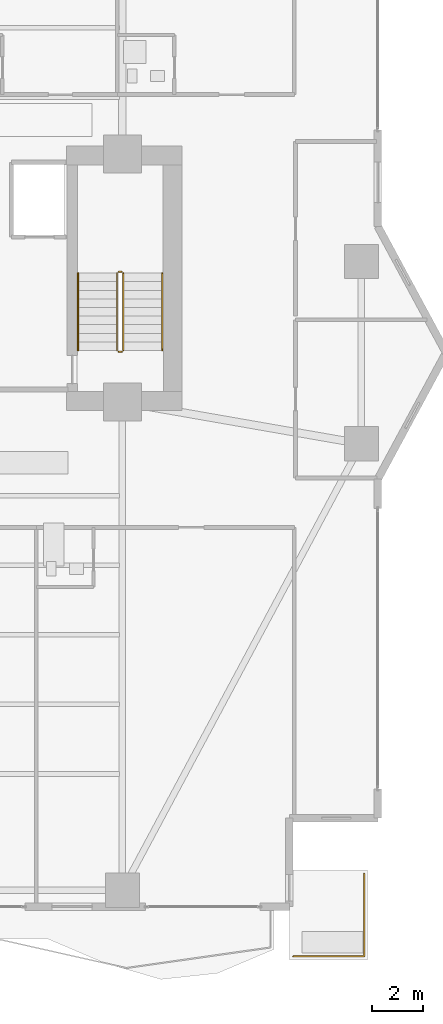
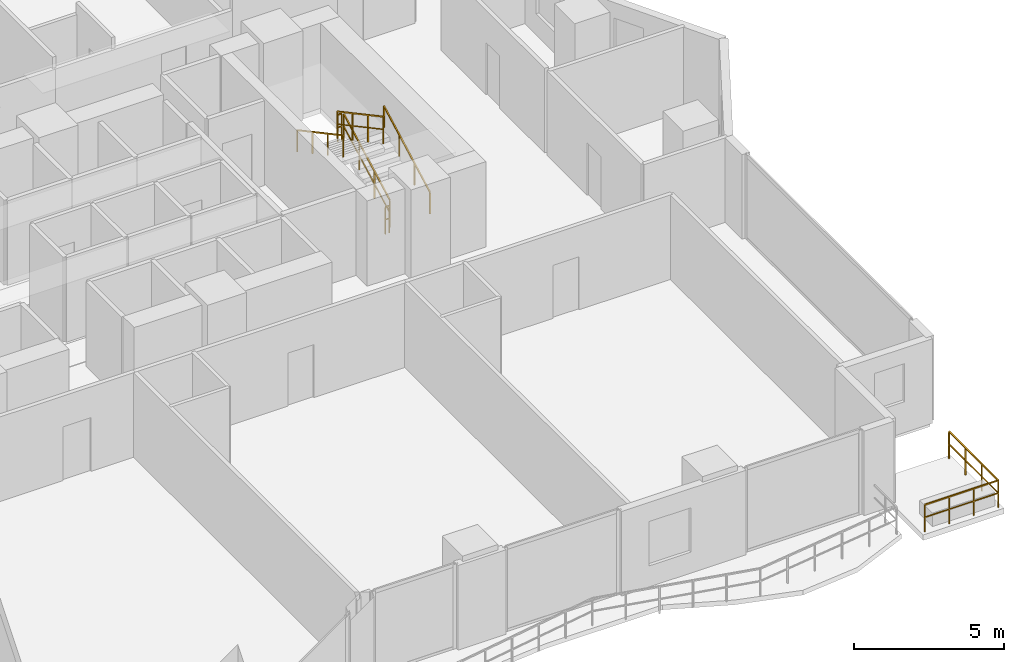
# One storey, part 28 of 30: 7 railings.
"""IFC4 building model written with IfcOpenShell, lengths in metres."""

from ifc_helpers import new_model, si_unit, direction, frame, origin, origin_2d, place, context, subcontext, project, spatial, rectangle, extrude, material, type_object, element, save


model = new_model("IFC4")

# Units and contexts
model_context = context("Model", 3, precision=1e-05, world=origin(), true_north=direction((0.0, 1.0)))
body_context = subcontext(model_context, "Body", "Model", "MODEL_VIEW")
ifc_project = project(units=[si_unit("LENGTHUNIT", "METRE"), si_unit("AREAUNIT", "SQUARE_METRE"), si_unit("VOLUMEUNIT", "CUBIC_METRE"), si_unit("PLANEANGLEUNIT", "RADIAN"), si_unit("MASSUNIT", "GRAM", prefix="KILO")], contexts=[model_context])

# Site, building, storey
site_placement = place(None, origin())
site = spatial("IfcSite", under=ifc_project, at=site_placement, CompositionType="ELEMENT")
building_placement = place(site_placement, origin())
building = spatial("IfcBuilding", under=site, at=building_placement, Name="Zuhayl Quay Hotel", CompositionType="ELEMENT")
storey_placement = place(building_placement, frame((0.0, 0.0, 128.5)))
storey = spatial("IfcBuildingStorey", under=building, at=storey_placement, Name="L32", CompositionType="ELEMENT", Elevation=128.5)

# Railings
ifc_material_1 = material(Name="Anodised Aluminium and Laminated Glass", Category="aluminium")
railing_type_1 = type_object("IfcRailingType", Name="RL_EXT_BAL_1100", PredefinedType="BALUSTRADE", material=ifc_material_1)
railing_1_placement = place(storey_placement, frame((20.5400390625, -17.360107421875, 0.0)))
element("IfcRailing", 1, at=railing_1_placement, inside=storey, type_object=railing_type_1, Name="L32 Balcony and Terrace Guard GR_L32_SPIRAL_SE", PredefinedType="BALUSTRADE", context=body_context, shape_type="SweptSolid", body=[
    extrude(rectangle(XDim=0.048095703125, YDim=0.048095703125, at=origin_2d()), frame((0.0, 0.0, 1.09619140625), z_axis=(1.0, 0.0, 0.0), x_axis=(0.0, 1.0, 0.0)), (0.0, 0.0, 1.0), 2.820068359375),
    extrude(rectangle(XDim=0.0361328125, YDim=0.0361328125, at=origin_2d()), frame((0.0, 0.0, 0.58251953125), z_axis=(1.0, 0.0, 0.0), x_axis=(0.0, 1.0, 0.0)), (0.0, 0.0, 1.0), 2.820068359375),
    extrude(rectangle(XDim=0.048095703125, YDim=0.048095703125, at=origin_2d()), frame((2.820068359375, 0.0, 1.09619140625), z_axis=(0.0, 1.0, 0.0), x_axis=(-1.0, 0.0, 0.0)), (0.0, 0.0, 1.0), 3.27001953125),
    extrude(rectangle(XDim=0.0361328125, YDim=0.0361328125, at=origin_2d()), frame((2.820068359375, 0.0, 0.58251953125), z_axis=(0.0, 1.0, 0.0), x_axis=(-1.0, 0.0, 0.0)), (0.0, 0.0, 1.0), 3.27001953125),
    extrude(rectangle(XDim=0.0419921875, YDim=0.0419921875, at=origin_2d()), origin(), (0.0, 0.0, 1.0), 1.072021484375),
    extrude(rectangle(XDim=0.0419921875, YDim=0.0419921875, at=origin_2d()), frame((0.93994140625, 0.0, 0.0)), (0.0, 0.0, 1.0), 1.072021484375),
    extrude(rectangle(XDim=0.0419921875, YDim=0.0419921875, at=origin_2d()), frame((1.880126953125, 0.0, 0.0)), (0.0, 0.0, 1.0), 1.072021484375),
    extrude(rectangle(XDim=0.0419921875, YDim=0.0419921875, at=origin_2d()), frame((2.820068359375, 0.0, 0.0)), (0.0, 0.0, 1.0), 1.072021484375),
    extrude(rectangle(XDim=0.0419921875, YDim=0.0419921875, at=origin_2d()), frame((2.820068359375, 1.090087890625, 0.0)), (0.0, 0.0, 1.0), 1.072021484375),
    extrude(rectangle(XDim=0.0419921875, YDim=0.0419921875, at=origin_2d()), frame((2.820068359375, 2.179931640625, 0.0)), (0.0, 0.0, 1.0), 1.072021484375),
    extrude(rectangle(XDim=0.0419921875, YDim=0.0419921875, at=origin_2d()), frame((2.820068359375, 3.27001953125, 0.0)), (0.0, 0.0, 1.0), 1.072021484375),
])
ifc_material_2 = material(Name="Steel ASTM A992 Grade 50", Category="steel")
railing_type_2 = type_object("IfcRailingType", Name="RL_GUARD_1100", PredefinedType="GUARDRAIL", material=ifc_material_2)
railing_2_placement = place(storey_placement, frame((13.840087890625, 6.590087890625, 0.1826171875)))
element("IfcRailing", 2, at=railing_2_placement, inside=storey, type_object=railing_type_2, Name="L32 ST2 stair guard 1", PredefinedType="GUARDRAIL", context=body_context, shape_type="SweptSolid", body=[
    extrude(rectangle(XDim=0.048095703125, YDim=0.048095703125, at=origin_2d()), frame((0.0, 0.0, 1.09619140625), z_axis=(0.0, 0.881102395774, 0.472925541879), x_axis=(-1.0, 0.0, 0.0)), (0.0, 0.0, 1.0), 3.47265625),
    extrude(rectangle(XDim=0.0361328125, YDim=0.0361328125, at=origin_2d()), frame((0.0, 0.0, 0.58251953125), z_axis=(0.0, 0.881102395774, 0.472925541879), x_axis=(-1.0, 0.0, 0.0)), (0.0, 0.0, 1.0), 3.47265625),
    extrude(rectangle(XDim=0.0419921875, YDim=0.0419921875, at=origin_2d()), origin(), (0.0, 0.0, 1.0), 1.072021484375),
    extrude(rectangle(XDim=0.0419921875, YDim=0.0419921875, at=origin_2d()), frame((0.0, 1.02001953125, 0.54736328125)), (0.0, 0.0, 1.0), 1.072021484375),
    extrude(rectangle(XDim=0.0419921875, YDim=0.0419921875, at=origin_2d()), frame((0.0, 2.039794921875, 1.094970703125)), (0.0, 0.0, 1.0), 1.072021484375),
    extrude(rectangle(XDim=0.0419921875, YDim=0.0419921875, at=origin_2d()), frame((0.0, 3.059814453125, 1.642333984375)), (0.0, 0.0, 1.0), 1.072021484375),
])
railing_3_placement = place(storey_placement, frame((13.7900390625, 9.699951171875, 1.824951171875)))
element("IfcRailing", 3, at=railing_3_placement, inside=storey, type_object=railing_type_2, Name="L32 ST2 stair guard 2", PredefinedType="GUARDRAIL", context=body_context, shape_type="SweptSolid", body=[
    extrude(rectangle(XDim=0.048095703125, YDim=0.048095703125, at=origin_2d()), frame((0.0, 0.0, 1.09619140625), z_axis=(-1.0, 0.0, 0.0), x_axis=(0.0, -1.0, 0.0)), (0.0, 0.0, 1.0), 0.150146484375),
    extrude(rectangle(XDim=0.0361328125, YDim=0.0361328125, at=origin_2d()), frame((0.0, 0.0, 0.58251953125), z_axis=(-1.0, 0.0, 0.0), x_axis=(0.0, -1.0, 0.0)), (0.0, 0.0, 1.0), 0.150146484375),
    extrude(rectangle(XDim=0.0419921875, YDim=0.0419921875, at=origin_2d()), origin(), (0.0, 0.0, 1.0), 1.072021484375),
    extrude(rectangle(XDim=0.0419921875, YDim=0.0419921875, at=origin_2d()), frame((-0.150146484375, 0.0, 0.0)), (0.0, 0.0, 1.0), 1.072021484375),
])
railing_4_placement = place(storey_placement, frame((13.590087890625, 9.64990234375, 2.007568359375)))
element("IfcRailing", 4, at=railing_4_placement, inside=storey, type_object=railing_type_2, Name="L32 ST2 stair guard 3", PredefinedType="GUARDRAIL", context=body_context, shape_type="SweptSolid", body=[
    extrude(rectangle(XDim=0.048095703125, YDim=0.048095703125, at=origin_2d()), frame((0.0, 0.0, 1.09619140625), z_axis=(0.0, -0.881102395774, 0.472925541879), x_axis=(1.0, 0.0, 0.0)), (0.0, 0.0, 1.0), 3.47265625),
    extrude(rectangle(XDim=0.0361328125, YDim=0.0361328125, at=origin_2d()), frame((0.0, 0.0, 0.58251953125), z_axis=(0.0, -0.881102395774, 0.472925541879), x_axis=(1.0, 0.0, 0.0)), (0.0, 0.0, 1.0), 3.47265625),
    extrude(rectangle(XDim=0.0419921875, YDim=0.0419921875, at=origin_2d()), origin(), (0.0, 0.0, 1.0), 1.072021484375),
    extrude(rectangle(XDim=0.0419921875, YDim=0.0419921875, at=origin_2d()), frame((0.0, -1.02001953125, 0.54736328125)), (0.0, 0.0, 1.0), 1.072021484375),
    extrude(rectangle(XDim=0.0419921875, YDim=0.0419921875, at=origin_2d()), frame((0.0, -2.039794921875, 1.094970703125)), (0.0, 0.0, 1.0), 1.072021484375),
    extrude(rectangle(XDim=0.0419921875, YDim=0.0419921875, at=origin_2d()), frame((0.0, -3.059814453125, 1.642333984375)), (0.0, 0.0, 1.0), 1.072021484375),
])
railing_5_placement = place(storey_placement, frame((13.7900390625, 6.5400390625, 0.0)))
element("IfcRailing", 5, at=railing_5_placement, inside=storey, type_object=railing_type_2, Name="L32 ST2 stair guard 4", PredefinedType="GUARDRAIL", context=body_context, shape_type="SweptSolid", body=[
    extrude(rectangle(XDim=0.048095703125, YDim=0.048095703125, at=origin_2d()), frame((0.0, 0.0, 1.09619140625), z_axis=(-1.0, 0.0, 0.0), x_axis=(0.0, -1.0, 0.0)), (0.0, 0.0, 1.0), 0.150146484375),
    extrude(rectangle(XDim=0.0361328125, YDim=0.0361328125, at=origin_2d()), frame((0.0, 0.0, 0.58251953125), z_axis=(-1.0, 0.0, 0.0), x_axis=(0.0, -1.0, 0.0)), (0.0, 0.0, 1.0), 0.150146484375),
    extrude(rectangle(XDim=0.0419921875, YDim=0.0419921875, at=origin_2d()), origin(), (0.0, 0.0, 1.0), 1.072021484375),
    extrude(rectangle(XDim=0.0419921875, YDim=0.0419921875, at=origin_2d()), frame((-0.150146484375, 0.0, 0.0)), (0.0, 0.0, 1.0), 1.072021484375),
])
railing_type_3 = type_object("IfcRailingType", Name="RL_HANDRAIL_920", PredefinedType="HANDRAIL", material=ifc_material_2)
railing_6_placement = place(storey_placement, frame((15.3798828125, 6.590087890625, 0.1826171875)))
element("IfcRailing", 6, at=railing_6_placement, inside=storey, type_object=railing_type_3, Name="L32 ST2 stair handrail 1", PredefinedType="HANDRAIL", context=body_context, shape_type="SweptSolid", body=[
    extrude(rectangle(XDim=0.048095703125, YDim=0.048095703125, at=origin_2d()), frame((0.0, 0.0, 0.8759765625), z_axis=(0.0, 0.881102395774, 0.472925541879), x_axis=(-1.0, 0.0, 0.0)), (0.0, 0.0, 1.0), 3.47265625),
    extrude(rectangle(XDim=0.0419921875, YDim=0.0419921875, at=origin_2d()), origin(), (0.0, 0.0, 1.0), 0.851806640625),
    extrude(rectangle(XDim=0.0419921875, YDim=0.0419921875, at=origin_2d()), frame((0.0, 1.02001953125, 0.54736328125)), (0.0, 0.0, 1.0), 0.851806640625),
    extrude(rectangle(XDim=0.0419921875, YDim=0.0419921875, at=origin_2d()), frame((0.0, 2.039794921875, 1.094970703125)), (0.0, 0.0, 1.0), 0.851806640625),
    extrude(rectangle(XDim=0.0419921875, YDim=0.0419921875, at=origin_2d()), frame((0.0, 3.059814453125, 1.642333984375)), (0.0, 0.0, 1.0), 0.851806640625),
])
railing_7_placement = place(storey_placement, frame((12.050048828125, 9.64990234375, 2.007568359375)))
element("IfcRailing", 7, at=railing_7_placement, inside=storey, type_object=railing_type_3, Name="L32 ST2 stair handrail 2", PredefinedType="HANDRAIL", context=body_context, shape_type="SweptSolid", body=[
    extrude(rectangle(XDim=0.048095703125, YDim=0.048095703125, at=origin_2d()), frame((0.0, 0.0, 0.8759765625), z_axis=(0.0, -0.881102395774, 0.472925541879), x_axis=(1.0, 0.0, 0.0)), (0.0, 0.0, 1.0), 3.47265625),
    extrude(rectangle(XDim=0.0419921875, YDim=0.0419921875, at=origin_2d()), origin(), (0.0, 0.0, 1.0), 0.851806640625),
    extrude(rectangle(XDim=0.0419921875, YDim=0.0419921875, at=origin_2d()), frame((0.0, -1.02001953125, 0.54736328125)), (0.0, 0.0, 1.0), 0.851806640625),
    extrude(rectangle(XDim=0.0419921875, YDim=0.0419921875, at=origin_2d()), frame((0.0, -2.039794921875, 1.094970703125)), (0.0, 0.0, 1.0), 0.851806640625),
    extrude(rectangle(XDim=0.0419921875, YDim=0.0419921875, at=origin_2d()), frame((0.0, -3.059814453125, 1.642333984375)), (0.0, 0.0, 1.0), 0.851806640625),
])

save(model, "model.ifc")
